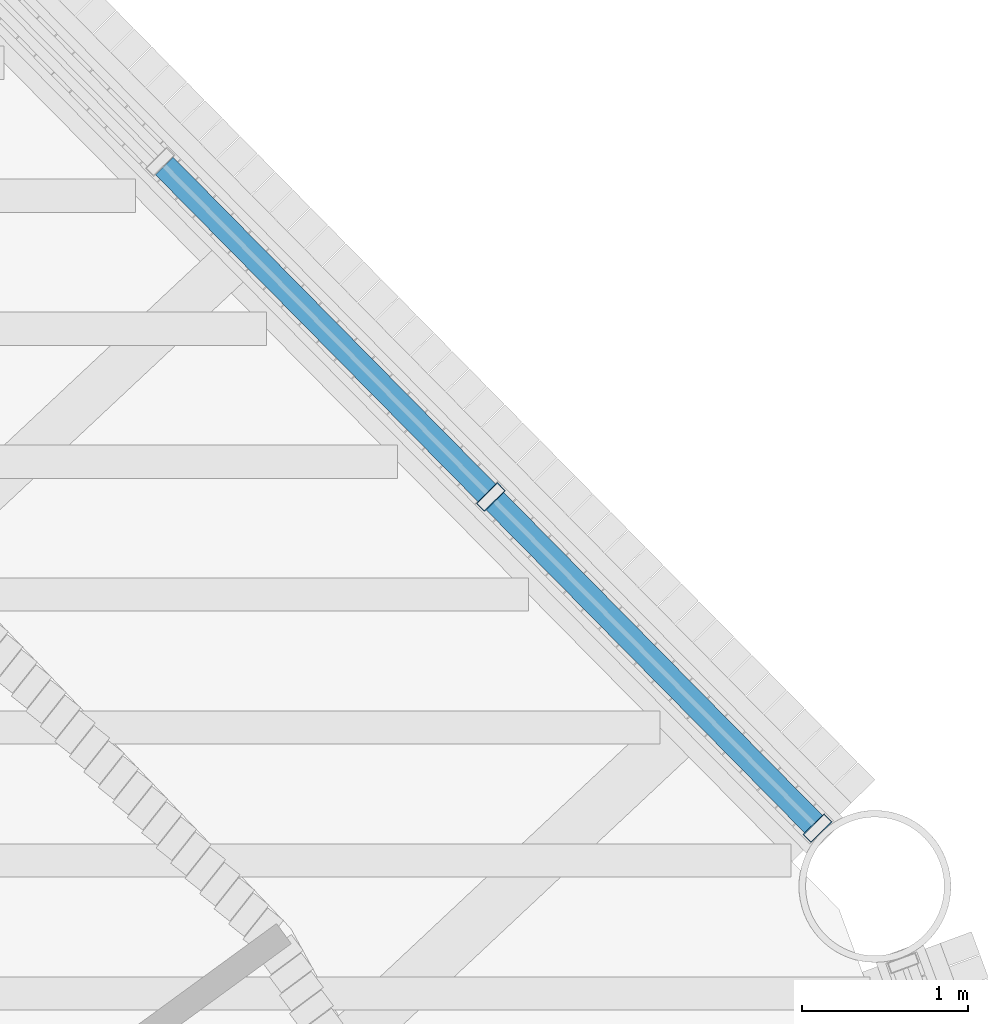
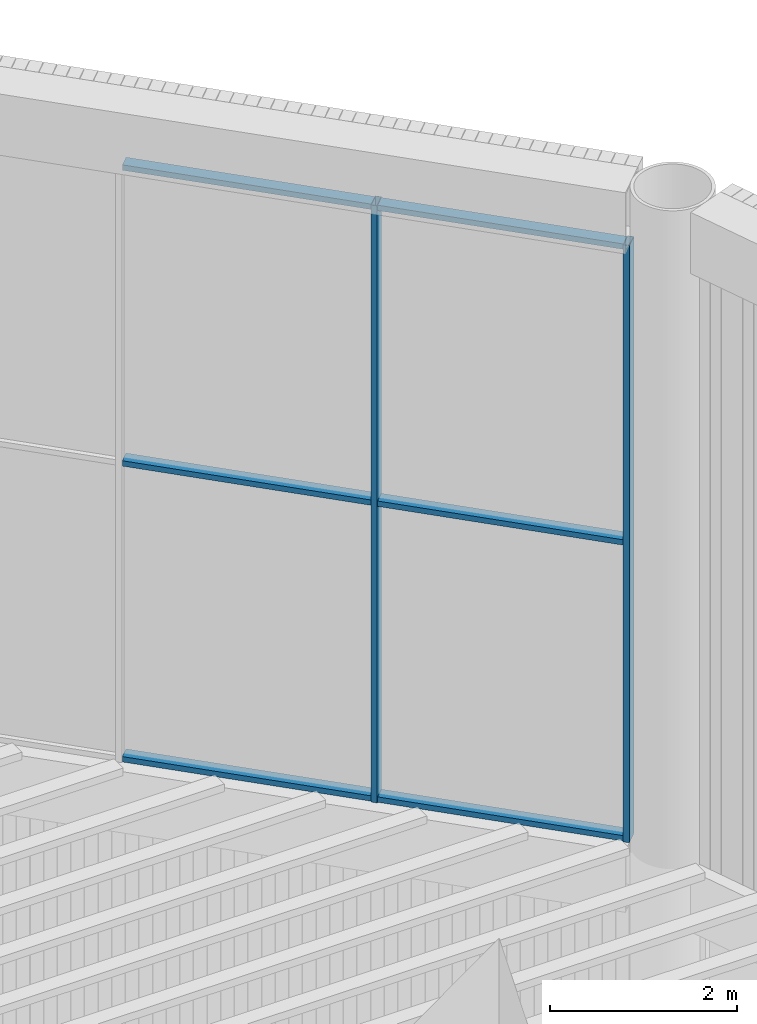
# One storey, part 75 of 117: 8 members, 1 element without a shape of its own.
"""IFC4 building model written with IfcOpenShell, lengths in metres."""

from ifc_helpers import new_model, si_unit, direction, frame, origin, origin_2d, place, context, subcontext, project, spatial, hollow_rectangle, extrude, material, layer, layer_set, material_profile, profile_set, type_object, element, aggregate, save


model = new_model("IFC4")

# Units and contexts
model_context = context("Model", 3, precision=1e-05, world=origin(), true_north=direction((0.0, 1.0)))
body_context = subcontext(model_context, "Body", "Model", "MODEL_VIEW")
ifc_project = project(units=[si_unit("LENGTHUNIT", "METRE"), si_unit("AREAUNIT", "SQUARE_METRE"), si_unit("VOLUMEUNIT", "CUBIC_METRE"), si_unit("PLANEANGLEUNIT", "RADIAN"), si_unit("MASSUNIT", "GRAM", prefix="KILO")], contexts=[model_context])

# Site, building, storey
site_placement = place(None, origin())
site = spatial("IfcSite", under=ifc_project, at=site_placement, CompositionType="ELEMENT")
building_placement = place(site_placement, origin())
building = spatial("IfcBuilding", under=site, at=building_placement, Name="Tarsis Ring Headquarters", CompositionType="ELEMENT")
storey_placement = place(building_placement, frame((0.0, 0.0, 403.60009765625)))
storey = spatial("IfcBuildingStorey", under=building, at=storey_placement, Name="L95", CompositionType="ELEMENT", Elevation=403.60009765625)

# Curtain wall, members
ifc_material_1 = material(Name="Aluminium curtain wall", Category="aluminium")
ifc_layer = layer(ifc_material_1, 0.179931640625)
ifc_layer_set = layer_set([ifc_layer], Name="Curtain wall crown glazing")
curtain_wall_type = type_object("IfcCurtainWallType", Name="Curtain wall crown glazing", PredefinedType="NOTDEFINED", material=ifc_layer_set)
curtain_wall_placement = place(storey_placement, origin())
curtain_wall = element("IfcCurtainWall", 1, at=curtain_wall_placement, inside=storey, type_object=curtain_wall_type, Name="Crown glazing U8", PredefinedType="NOTDEFINED")
ifc_material_2 = material(Name="Aluminium mullion", Category="aluminium")
ifc_material_profile_1 = material_profile(ifc_material_2, hollow_rectangle(XDim=0.179931640625, YDim=0.070068359375, WallThickness=0.0048828125, at=origin_2d()), Name="RHS 180x70x5")
ifc_profile_set_1 = profile_set([ifc_material_profile_1], Name="Aluminium mullion")
member_type_1 = type_object("IfcMemberType", Name="Crown glazing mullion RHS 180x70x5", PredefinedType="MULLION", material=ifc_profile_set_1)
member_1_placement = place(storey_placement, frame((24.17138671875, 15.93017578125, 14.39990234375), z_axis=(0.0, 0.0, 1.0), x_axis=(-0.711949304899, -0.70223086464, 0.0)))
member_1 = element("IfcMember", 2, at=member_1_placement, type_object=member_type_1, Name="CW-C mullion 1", PredefinedType="MULLION", context=body_context, shape_type="SweptSolid", body=[
    extrude(hollow_rectangle(XDim=0.179931640625, YDim=0.070068359375, WallThickness=0.0048828125, at=origin_2d()), origin(), (0.0, 0.0, 1.0), 7.800048828125),
])
member_2_placement = place(storey_placement, frame((22.2060546875, 17.9228515625, 14.39990234375), z_axis=(0.0, 0.0, 1.0), x_axis=(-0.711949304899, -0.70223086464, 0.0)))
member_2 = element("IfcMember", 3, at=member_2_placement, type_object=member_type_1, Name="CW-C mullion 2", PredefinedType="MULLION", context=body_context, shape_type="SweptSolid", body=[
    extrude(hollow_rectangle(XDim=0.179931640625, YDim=0.070068359375, WallThickness=0.0048828125, at=origin_2d()), origin(), (0.0, 0.0, 1.0), 7.800048828125),
])
ifc_material_3 = material(Name="Aluminium transom", Category="aluminium")
ifc_material_profile_2 = material_profile(ifc_material_3, hollow_rectangle(XDim=0.14990234375, YDim=0.070068359375, WallThickness=0.0048828125, at=origin_2d()), Name="RHS 150x70x5")
ifc_profile_set_2 = profile_set([ifc_material_profile_2], Name="Aluminium transom")
member_type_2 = type_object("IfcMemberType", Name="Crown glazing transom RHS 150x70x5", PredefinedType="USERDEFINED", material=ifc_profile_set_2)
member_3_placement = place(storey_placement, frame((24.14697265625, 15.955078125, 14.434814453125), z_axis=(-0.702214104634, 0.711965835734, 0.0), x_axis=(-0.711965835734, -0.702214104634, 0.0)))
member_3 = element("IfcMember", 4, at=member_3_placement, type_object=member_type_2, Name="CW-C transom 1.1", ObjectType="TRANSOM", PredefinedType="USERDEFINED", context=body_context, shape_type="SweptSolid", body=[
    extrude(hollow_rectangle(XDim=0.14990234375, YDim=0.070068359375, WallThickness=0.0048828125, at=origin_2d()), origin(), (0.0, 0.0, 1.0), 2.72900390625),
])
member_4_placement = place(storey_placement, frame((24.14697265625, 15.955078125, 18.2998046875), z_axis=(-0.702214104634, 0.711965835734, 0.0), x_axis=(-0.711965835734, -0.702214104634, 0.0)))
member_4 = element("IfcMember", 5, at=member_4_placement, type_object=member_type_2, Name="CW-C transom 1.2", ObjectType="TRANSOM", PredefinedType="USERDEFINED", context=body_context, shape_type="SweptSolid", body=[
    extrude(hollow_rectangle(XDim=0.14990234375, YDim=0.070068359375, WallThickness=0.0048828125, at=origin_2d()), origin(), (0.0, 0.0, 1.0), 2.72900390625),
])
member_5_placement = place(storey_placement, frame((24.14697265625, 15.955078125, 22.164794921875), z_axis=(-0.702214104634, 0.711965835734, 0.0), x_axis=(-0.711965835734, -0.702214104634, 0.0)))
member_5 = element("IfcMember", 6, at=member_5_placement, type_object=member_type_2, Name="CW-C transom 1.3", ObjectType="TRANSOM", PredefinedType="USERDEFINED", context=body_context, shape_type="SweptSolid", body=[
    extrude(hollow_rectangle(XDim=0.14990234375, YDim=0.070068359375, WallThickness=0.0048828125, at=origin_2d()), origin(), (0.0, 0.0, 1.0), 2.72900390625),
])
member_6_placement = place(storey_placement, frame((22.181640625, 17.94775390625, 14.434814453125), z_axis=(-0.702276046508, 0.711904736957, 0.0), x_axis=(-0.711904736957, -0.702276046508, 0.0)))
member_6 = element("IfcMember", 7, at=member_6_placement, type_object=member_type_2, Name="CW-C transom 2.1", ObjectType="TRANSOM", PredefinedType="USERDEFINED", context=body_context, shape_type="SweptSolid", body=[
    extrude(hollow_rectangle(XDim=0.14990234375, YDim=0.070068359375, WallThickness=0.0048828125, at=origin_2d()), origin(), (0.0, 0.0, 1.0), 2.763671875),
])
member_7_placement = place(storey_placement, frame((22.181640625, 17.94775390625, 18.2998046875), z_axis=(-0.702276046508, 0.711904736957, 0.0), x_axis=(-0.711904736957, -0.702276046508, 0.0)))
member_7 = element("IfcMember", 8, at=member_7_placement, type_object=member_type_2, Name="CW-C transom 2.2", ObjectType="TRANSOM", PredefinedType="USERDEFINED", context=body_context, shape_type="SweptSolid", body=[
    extrude(hollow_rectangle(XDim=0.14990234375, YDim=0.070068359375, WallThickness=0.0048828125, at=origin_2d()), origin(), (0.0, 0.0, 1.0), 2.763671875),
])
member_8_placement = place(storey_placement, frame((22.181640625, 17.94775390625, 22.164794921875), z_axis=(-0.702276046508, 0.711904736957, 0.0), x_axis=(-0.711904736957, -0.702276046508, 0.0)))
member_8 = element("IfcMember", 9, at=member_8_placement, type_object=member_type_2, Name="CW-C transom 2.3", ObjectType="TRANSOM", PredefinedType="USERDEFINED", context=body_context, shape_type="SweptSolid", body=[
    extrude(hollow_rectangle(XDim=0.14990234375, YDim=0.070068359375, WallThickness=0.0048828125, at=origin_2d()), origin(), (0.0, 0.0, 1.0), 2.763671875),
])
aggregate(curtain_wall, [member_1, member_2, member_3, member_4, member_5, member_6, member_7, member_8])

save(model, "model.ifc")
